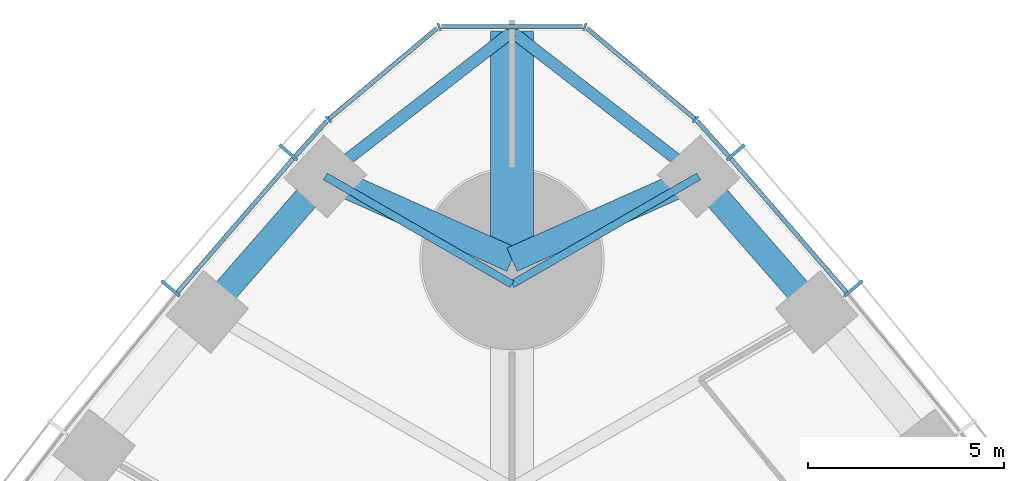
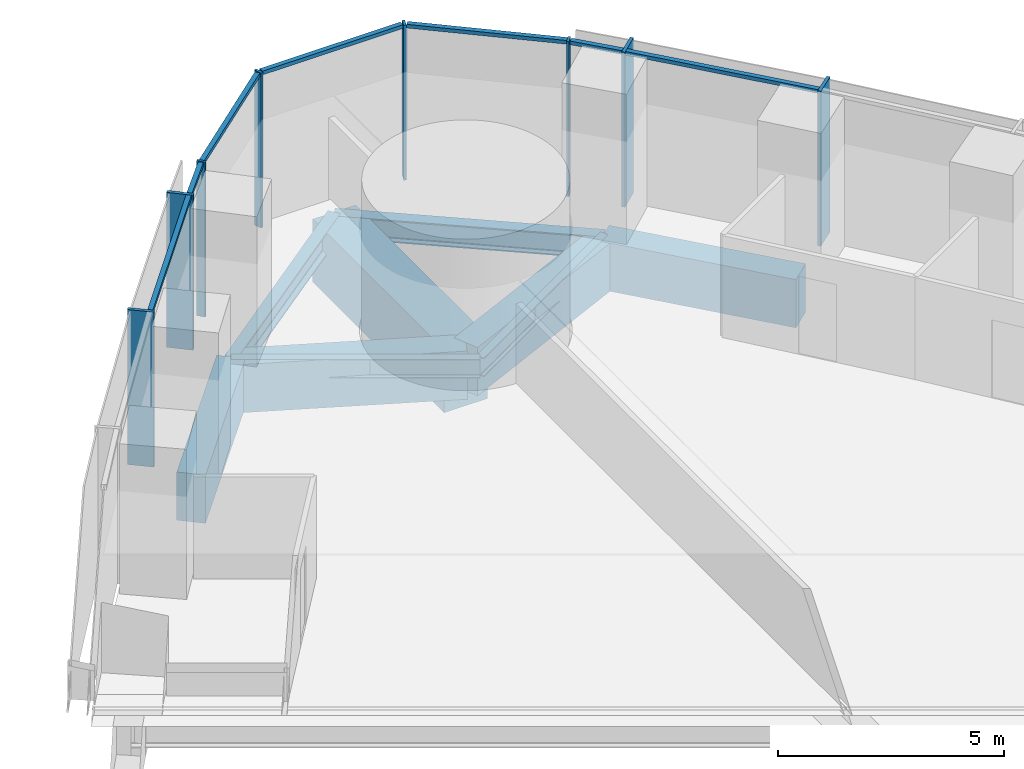
# One storey, part 7 of 18: 15 members, 9 beams, 3 elements without a shape of their own.
"""IFC4 building model written with IfcOpenShell, lengths in metres."""

from ifc_helpers import new_model, si_unit, direction, frame, origin, origin_2d, place, context, subcontext, project, spatial, rectangle, i_section, extrude, material, material_profile, profile_set, type_object, element, aggregate, save


model = new_model("IFC4")

# Units and contexts
model_context = context("Model", 3, precision=1e-05, world=origin(), true_north=direction((0.0, 1.0)))
body_context = subcontext(model_context, "Body", "Model", "MODEL_VIEW")
ifc_project = project(units=[si_unit("LENGTHUNIT", "METRE"), si_unit("AREAUNIT", "SQUARE_METRE"), si_unit("VOLUMEUNIT", "CUBIC_METRE"), si_unit("PLANEANGLEUNIT", "RADIAN"), si_unit("MASSUNIT", "GRAM", prefix="KILO")], contexts=[model_context])

# Site, building, storey
site_placement = place(None, origin())
site = spatial("IfcSite", under=ifc_project, at=site_placement, CompositionType="ELEMENT")
building_placement = place(site_placement, origin())
building = spatial("IfcBuilding", under=site, at=building_placement, Name="Trefoil Bronze Tower", CompositionType="ELEMENT")
storey_placement = place(building_placement, frame((0.0, 0.0, 37.5)))
storey = spatial("IfcBuildingStorey", under=building, at=storey_placement, Name="L08", CompositionType="ELEMENT", Elevation=37.5)

# Curtain wall, members
ifc_material_1 = material(Name="Tinted solar-control glass", Category="glass")
curtain_wall_type_1 = type_object("IfcCurtainWallType", Name="Bronze office curtain wall", PredefinedType="USERDEFINED", material=ifc_material_1)
curtain_wall_1_placement = place(storey_placement, origin())
curtain_wall_1 = element("IfcCurtainWall", 1, at=curtain_wall_1_placement, inside=storey, type_object=curtain_wall_type_1, Name="CW-A L08 F2", ObjectType="CURTAIN WALL", PredefinedType="USERDEFINED")
ifc_material_2 = material(Name="Bronze-finish aluminium", Category="aluminium")
ifc_material_profile_1 = material_profile(ifc_material_2, rectangle(XDim=0.60009765625, YDim=0.080078125, at=origin_2d()), Name="CW-A mullion")
ifc_profile_set_1 = profile_set([ifc_material_profile_1], Name="Bronze-finish aluminium")
member_type_1 = type_object("IfcMemberType", Name="Bronze office curtain wall mullion", PredefinedType="MULLION", material=ifc_profile_set_1)
member_1_placement = place(storey_placement, frame((8.709716796875, 36.265869140625, 0.0), z_axis=(0.0, 0.0, 1.0), x_axis=(-0.765729101889, -0.643163231629, 0.0)))
member_1 = element("IfcMember", 2, at=member_1_placement, type_object=member_type_1, Name="CW-A L08 F2 mullion 15", PredefinedType="MULLION", context=body_context, shape_type="SweptSolid", body=[
    extrude(rectangle(XDim=0.60009765625, YDim=0.080078125, at=origin_2d()), origin(), (0.0, 0.0, 1.0), 4.179931640625),
])
member_2_placement = place(storey_placement, frame((5.70654296875, 39.736328125, 0.0), z_axis=(0.0, 0.0, 1.0), x_axis=(-0.7499405861, -0.661505190698, 0.0)))
member_2 = element("IfcMember", 3, at=member_2_placement, type_object=member_type_1, Name="CW-A L08 F2 mullion 16", PredefinedType="MULLION", context=body_context, shape_type="SweptSolid", body=[
    extrude(rectangle(XDim=0.60009765625, YDim=0.080078125, at=origin_2d()), origin(), (0.0, 0.0, 1.0), 4.179931640625),
])

curtain_wall_2_placement = place(storey_placement, origin())
curtain_wall_2 = element("IfcCurtainWall", 4, at=curtain_wall_2_placement, inside=storey, type_object=curtain_wall_type_1, Name="CW-A L08 F3", ObjectType="CURTAIN WALL", PredefinedType="USERDEFINED")
member_3_placement = place(storey_placement, frame((-5.70654296875, 39.736328125, 0.0), z_axis=(0.0, 0.0, 1.0), x_axis=(0.7499405861, -0.661505190698, 0.0)))
member_3 = element("IfcMember", 5, at=member_3_placement, type_object=member_type_1, Name="CW-A L08 F3 mullion 2", PredefinedType="MULLION", context=body_context, shape_type="SweptSolid", body=[
    extrude(rectangle(XDim=0.60009765625, YDim=0.080078125, at=origin_2d()), origin(), (0.0, 0.0, 1.0), 4.179931640625),
])
member_4_placement = place(storey_placement, frame((-8.709716796875, 36.265869140625, 0.0), z_axis=(0.0, 0.0, 1.0), x_axis=(0.765729101889, -0.643163231629, 0.0)))
member_4 = element("IfcMember", 6, at=member_4_placement, type_object=member_type_1, Name="CW-A L08 F3 mullion 3", PredefinedType="MULLION", context=body_context, shape_type="SweptSolid", body=[
    extrude(rectangle(XDim=0.60009765625, YDim=0.080078125, at=origin_2d()), origin(), (0.0, 0.0, 1.0), 4.179931640625),
])

# Member
ifc_material_3 = material(Name="Bronze-finish aluminium", Category="aluminium")
ifc_material_profile_2 = material_profile(ifc_material_3, rectangle(XDim=0.1201171875, YDim=0.10009765625, at=origin_2d()), Name="CW-A transom")
ifc_profile_set_2 = profile_set([ifc_material_profile_2], Name="Bronze-finish aluminium")
member_type_2 = type_object("IfcMemberType", Name="Bronze office curtain wall transom", PredefinedType="USERDEFINED", material=ifc_profile_set_2)
member_5_placement = place(storey_placement, frame((8.529541015625, 36.16845703125, 4.1298828125), z_axis=(-0.654383303203, 0.75616300656, 0.0), x_axis=(-0.75616300656, -0.654383303203, 0.0)))
member_5 = element("IfcMember", 7, at=member_5_placement, type_object=member_type_2, Name="CW-A L08 F2 transom 15", ObjectType="TRANSOM", PredefinedType="USERDEFINED", context=body_context, shape_type="SweptSolid", body=[
    extrude(rectangle(XDim=0.1201171875, YDim=0.10009765625, at=origin_2d()), origin(), (0.0, 0.0, 1.0), 4.50244140625),
])

member_6_placement = place(storey_placement, frame((5.529052734375, 39.634521484375, 4.1298828125), z_axis=(-0.66858567461, 0.743635122695, 0.0), x_axis=(-0.743635122695, -0.66858567461, 0.0)))
member_6 = element("IfcMember", 8, at=member_6_placement, type_object=member_type_2, Name="CW-A L08 F2 transom 16", ObjectType="TRANSOM", PredefinedType="USERDEFINED", context=body_context, shape_type="SweptSolid", body=[
    extrude(rectangle(XDim=0.1201171875, YDim=0.10009765625, at=origin_2d()), origin(), (0.0, 0.0, 1.0), 1.210205078125),
])

aggregate(curtain_wall_1, [member_1, member_2, member_5, member_6])

member_7_placement = place(storey_placement, frame((-4.719970703125, 40.534423828125, 4.1298828125), z_axis=(-0.66858567461, -0.743635122695, 0.0), x_axis=(0.743635122695, -0.66858567461, 0.0)))
member_7 = element("IfcMember", 9, at=member_7_placement, type_object=member_type_2, Name="CW-A L08 F3 transom 1", ObjectType="TRANSOM", PredefinedType="USERDEFINED", context=body_context, shape_type="SweptSolid", body=[
    extrude(rectangle(XDim=0.1201171875, YDim=0.10009765625, at=origin_2d()), origin(), (0.0, 0.0, 1.0), 1.210205078125),
])

member_8_placement = place(storey_placement, frame((-5.583251953125, 39.572998046875, 4.1298828125), z_axis=(-0.654383303203, -0.75616300656, 0.0), x_axis=(0.75616300656, -0.654383303203, 0.0)))
member_8 = element("IfcMember", 10, at=member_8_placement, type_object=member_type_2, Name="CW-A L08 F3 transom 2", ObjectType="TRANSOM", PredefinedType="USERDEFINED", context=body_context, shape_type="SweptSolid", body=[
    extrude(rectangle(XDim=0.1201171875, YDim=0.10009765625, at=origin_2d()), origin(), (0.0, 0.0, 1.0), 4.50244140625),
])

aggregate(curtain_wall_2, [member_3, member_4, member_7, member_8])

# Curtain wall, members
ifc_material_4 = material(Name="Tinted solar-control glass", Category="glass")
curtain_wall_type_2 = type_object("IfcCurtainWallType", Name="Bronze rounded corner curtain wall", PredefinedType="USERDEFINED", material=ifc_material_4)
curtain_wall_3_placement = place(storey_placement, origin())
curtain_wall_3 = element("IfcCurtainWall", 11, at=curtain_wall_3_placement, inside=storey, type_object=curtain_wall_type_2, Name="CW-B L08 K2", ObjectType="CURTAIN WALL", PredefinedType="USERDEFINED")
ifc_material_5 = material(Name="Bronze-finish aluminium", Category="aluminium")
ifc_material_profile_3 = material_profile(ifc_material_5, rectangle(XDim=0.199951171875, YDim=0.06005859375, at=origin_2d()), Name="CW-B mullion")
ifc_profile_set_3 = profile_set([ifc_material_profile_3], Name="Bronze-finish aluminium")
member_type_3 = type_object("IfcMemberType", Name="Bronze rounded corner curtain wall mullion", PredefinedType="MULLION", material=ifc_profile_set_3)
member_9_placement = place(storey_placement, frame((4.68310546875, 40.573974609375, 0.0), z_axis=(0.0, 0.0, 1.0), x_axis=(-0.642787609687, -0.766044443119, 0.0)))
member_9 = element("IfcMember", 12, at=member_9_placement, type_object=member_type_3, Name="CW-B L08 K2 mullion 1", PredefinedType="MULLION", context=body_context, shape_type="SweptSolid", body=[
    extrude(rectangle(XDim=0.199951171875, YDim=0.06005859375, at=origin_2d()), origin(), (0.0, 0.0, 1.0), 4.179931640625),
])
member_10_placement = place(storey_placement, frame((1.8583984375, 42.9365234375, 0.0), z_axis=(0.0, 0.0, 1.0), x_axis=(-0.342020143326, -0.939692620786, 0.0)))
member_10 = element("IfcMember", 13, at=member_10_placement, type_object=member_type_3, Name="CW-B L08 K2 mullion 2", PredefinedType="MULLION", context=body_context, shape_type="SweptSolid", body=[
    extrude(rectangle(XDim=0.199951171875, YDim=0.06005859375, at=origin_2d()), origin(), (0.0, 0.0, 1.0), 4.179931640625),
])
member_11_placement = place(storey_placement, frame((-1.8583984375, 42.9365234375, 0.0), z_axis=(0.0, 0.0, 1.0), x_axis=(0.342020143326, -0.939692620786, 0.0)))
member_11 = element("IfcMember", 14, at=member_11_placement, type_object=member_type_3, Name="CW-B L08 K2 mullion 3", PredefinedType="MULLION", context=body_context, shape_type="SweptSolid", body=[
    extrude(rectangle(XDim=0.199951171875, YDim=0.06005859375, at=origin_2d()), origin(), (0.0, 0.0, 1.0), 4.179931640625),
])
member_12_placement = place(storey_placement, frame((-4.68310546875, 40.573974609375, 0.0), z_axis=(0.0, 0.0, 1.0), x_axis=(0.642787609687, -0.766044443119, 0.0)))
member_12 = element("IfcMember", 15, at=member_12_placement, type_object=member_type_3, Name="CW-B L08 K2 mullion 4", PredefinedType="MULLION", context=body_context, shape_type="SweptSolid", body=[
    extrude(rectangle(XDim=0.199951171875, YDim=0.06005859375, at=origin_2d()), origin(), (0.0, 0.0, 1.0), 4.179931640625),
])
ifc_material_6 = material(Name="Bronze-finish aluminium", Category="aluminium")
ifc_material_profile_4 = material_profile(ifc_material_6, rectangle(XDim=0.1201171875, YDim=0.10009765625, at=origin_2d()), Name="CW-B transom")
ifc_profile_set_4 = profile_set([ifc_material_profile_4], Name="Bronze-finish aluminium")
member_type_4 = type_object("IfcMemberType", Name="Bronze rounded corner curtain wall transom", PredefinedType="USERDEFINED", material=ifc_profile_set_4)
member_13_placement = place(storey_placement, frame((4.66015625, 40.59326171875, 4.1298828125), z_axis=(-0.766058606238, 0.642770730361, 0.0), x_axis=(-0.642770730361, -0.766058606238, 0.0)))
member_13 = element("IfcMember", 16, at=member_13_placement, type_object=member_type_4, Name="CW-B L08 K2 transom 1", ObjectType="TRANSOM", PredefinedType="USERDEFINED", context=body_context, shape_type="SweptSolid", body=[
    extrude(rectangle(XDim=0.1201171875, YDim=0.10009765625, at=origin_2d()), origin(), (0.0, 0.0, 1.0), 3.588134765625),
])
member_14_placement = place(storey_placement, frame((1.794189453125, 42.9423828125, 4.1298828125), z_axis=(-1.0, 0.0, 0.0), x_axis=(0.0, -1.0, 0.0)))
member_14 = element("IfcMember", 17, at=member_14_placement, type_object=member_type_4, Name="CW-B L08 K2 transom 2", ObjectType="TRANSOM", PredefinedType="USERDEFINED", context=body_context, shape_type="SweptSolid", body=[
    extrude(rectangle(XDim=0.1201171875, YDim=0.10009765625, at=origin_2d()), origin(), (0.0, 0.0, 1.0), 3.58837890625),
])
member_15_placement = place(storey_placement, frame((-1.911376953125, 42.899658203125, 4.1298828125), z_axis=(-0.766058606238, -0.642770730361, 0.0), x_axis=(0.642770730361, -0.766058606238, 0.0)))
member_15 = element("IfcMember", 18, at=member_15_placement, type_object=member_type_4, Name="CW-B L08 K2 transom 3", ObjectType="TRANSOM", PredefinedType="USERDEFINED", context=body_context, shape_type="SweptSolid", body=[
    extrude(rectangle(XDim=0.1201171875, YDim=0.10009765625, at=origin_2d()), origin(), (0.0, 0.0, 1.0), 3.588134765625),
])
aggregate(curtain_wall_3, [member_9, member_10, member_11, member_12, member_13, member_14, member_15])

# Beams
ifc_material_7 = material(Name="Concrete B80", Category="concrete")
ifc_material_profile_5 = material_profile(ifc_material_7, rectangle(XDim=1.10009765625, YDim=1.699951171875, at=origin_2d()), Name="RC 1100x1700")
ifc_profile_set_5 = profile_set([ifc_material_profile_5], Name="Concrete B80")
beam_type_1 = type_object("IfcBeamType", Name="Corner cantilever RC 1100x1700", PredefinedType="BEAM", material=ifc_profile_set_5)
beam_placement = place(storey_placement, frame((0.0, 37.0, -1.050048828125), z_axis=(0.0, 1.0, 0.0), x_axis=(-1.0, 0.0, 0.0)))
element("IfcBeam", 19, at=beam_placement, inside=storey, type_object=beam_type_1, Name="Corner cantilever K2 L08", PredefinedType="BEAM", context=body_context, shape_type="SweptSolid", body=[
    extrude(rectangle(XDim=1.10009765625, YDim=1.699951171875, at=origin_2d()), origin(), (0.0, 0.0, 1.0), 5.814208984375),
])
ifc_material_8 = material(Name="Steel C355", Category="steel")
ifc_material_profile_6 = material_profile(ifc_material_8, i_section(OverallWidth=0.300048828125, OverallDepth=0.60009765625, WebThickness=0.015380859375, FlangeThickness=0.030029296875, FilletRadius=0.027099609375, at=origin_2d()), Name="HEB 600")
ifc_profile_set_6 = profile_set([ifc_material_profile_6], Name="Steel C355")
beam_type_2 = type_object("IfcBeamType", Name="Corner edge beam HEB 600", PredefinedType="BEAM", material=ifc_profile_set_6)
for number, where, z_axis, x_axis, name in (
    (20, (4.76171875, 39.122314453125, -0.5), (-0.790289474622, 0.612733666696, 0.0), (-0.612733666696, -0.790289474622, 0.0), "Corner edge beam F2A L08"),
    (21, (-4.76171875, 39.122314453125, -0.5), (0.790289474622, 0.612733666696, 0.0), (-0.612733666696, 0.790289474622, 0.0), "Corner edge beam F3B L08"),
):
    element("IfcBeam", number, at=place(storey_placement, frame(where, z_axis=z_axis, x_axis=x_axis)), inside=storey, type_object=beam_type_2, Name=name, PredefinedType="BEAM", context=body_context, shape_type="SweptSolid", body=[
        extrude(i_section(OverallWidth=0.300048828125, OverallDepth=0.60009765625, WebThickness=0.015380859375, FlangeThickness=0.030029296875, FilletRadius=0.027099609375, at=origin_2d()), origin(), (0.0, 0.0, 1.0), 6.025390625),
    ])
ifc_material_9 = material(Name="Concrete B80", Category="concrete")
ifc_material_profile_7 = material_profile(ifc_material_9, rectangle(XDim=0.64990234375, YDim=1.300048828125, at=origin_2d()), Name="RC 650x1300")
ifc_profile_set_7 = profile_set([ifc_material_profile_7], Name="Concrete B80")
beam_type_3 = type_object("IfcBeamType", Name="End spandrel beam RC 650x1300", PredefinedType="SPANDREL", material=ifc_profile_set_7)
for number, where, z_axis, x_axis, name in (
    (22, (4.76171875, 39.122314453125, -0.85009765625), (-0.913384257879, -0.407098510754, 0.0), (0.407098510754, -0.913384257879, 0.0), "Spandrel F2.16 L08"),
    (23, (0.0, 37.0, -0.85009765625), (-0.913384257879, 0.407098510754, 0.0), (-0.407098510754, -0.913384257879, 0.0), "Spandrel F3.1 L08"),
):
    element("IfcBeam", number, at=place(storey_placement, frame(where, z_axis=z_axis, x_axis=x_axis)), inside=storey, type_object=beam_type_3, Name=name, PredefinedType="SPANDREL", context=body_context, shape_type="SweptSolid", body=[
        extrude(rectangle(XDim=0.64990234375, YDim=1.300048828125, at=origin_2d()), origin(), (0.0, 0.0, 1.0), 5.21337890625),
    ])
ifc_material_10 = material(Name="Steel C355", Category="steel")
ifc_material_profile_8 = material_profile(ifc_material_10, i_section(OverallWidth=0.199951171875, OverallDepth=0.5, WebThickness=0.01025390625, FlangeThickness=0.01611328125, FilletRadius=0.02099609375, at=origin_2d()), Name="IPE 500")
ifc_profile_set_8 = profile_set([ifc_material_profile_8], Name="Steel C355")
beam_type_4 = type_object("IfcBeamType", Name="Floor beam IPE 500", PredefinedType="BEAM", material=ifc_profile_set_8)
for number, where, z_axis, x_axis, name in (
    (24, (4.76171875, 39.122314453125, -0.449951171875), (-0.866018475376, -0.500012000164, 0.0), (0.500012000164, -0.866018475376, 0.0), "Floor beam F2/+7 L08"),
    (25, (-4.76171875, 39.122314453125, -0.449951171875), (0.866018475376, -0.500012000164, 0.0), (0.500012000164, 0.866018475376, 0.0), "Floor beam F3/-7 L08"),
):
    element("IfcBeam", number, at=place(storey_placement, frame(where, z_axis=z_axis, x_axis=x_axis)), inside=storey, type_object=beam_type_4, Name=name, PredefinedType="BEAM", context=body_context, shape_type="SweptSolid", body=[
        extrude(i_section(OverallWidth=0.199951171875, OverallDepth=0.5, WebThickness=0.01025390625, FlangeThickness=0.01611328125, FilletRadius=0.02099609375, at=origin_2d()), origin(), (0.0, 0.0, 1.0), 5.498291015625),
    ])
ifc_material_11 = material(Name="Concrete B80", Category="concrete")
ifc_material_profile_9 = material_profile(ifc_material_11, rectangle(XDim=0.64990234375, YDim=1.300048828125, at=origin_2d()), Name="RC 650x1300")
ifc_profile_set_9 = profile_set([ifc_material_profile_9], Name="Concrete B80")
beam_type_5 = type_object("IfcBeamType", Name="Spandrel beam RC 650x1300", PredefinedType="SPANDREL", material=ifc_profile_set_9)
for number, where, z_axis, x_axis, name in (
    (26, (7.7763671875, 35.666748046875, -0.85009765625), (-0.657395767989, 0.753545489158, 0.0), (-0.753545489158, -0.657395767989, 0.0), "Spandrel F2.15 L08"),
    (27, (-4.76171875, 39.122314453125, -0.85009765625), (-0.657395767989, -0.753545489158, 0.0), (0.753545489158, -0.657395767989, 0.0), "Spandrel F3.2 L08"),
):
    element("IfcBeam", number, at=place(storey_placement, frame(where, z_axis=z_axis, x_axis=x_axis)), inside=storey, type_object=beam_type_5, Name=name, PredefinedType="SPANDREL", context=body_context, shape_type="SweptSolid", body=[
        extrude(rectangle(XDim=0.64990234375, YDim=1.300048828125, at=origin_2d()), origin(), (0.0, 0.0, 1.0), 4.585693359375),
    ])

save(model, "model.ifc")
